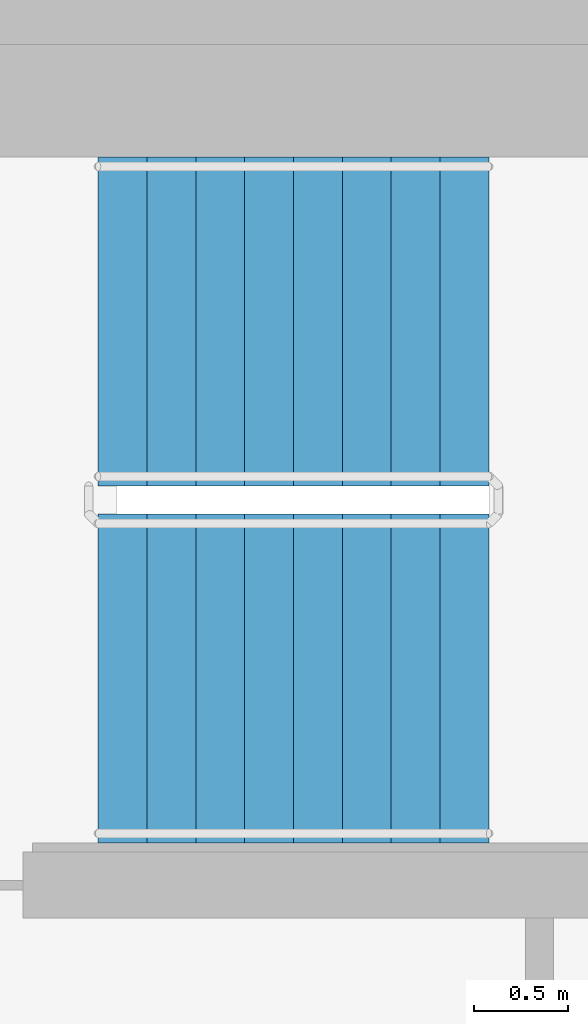
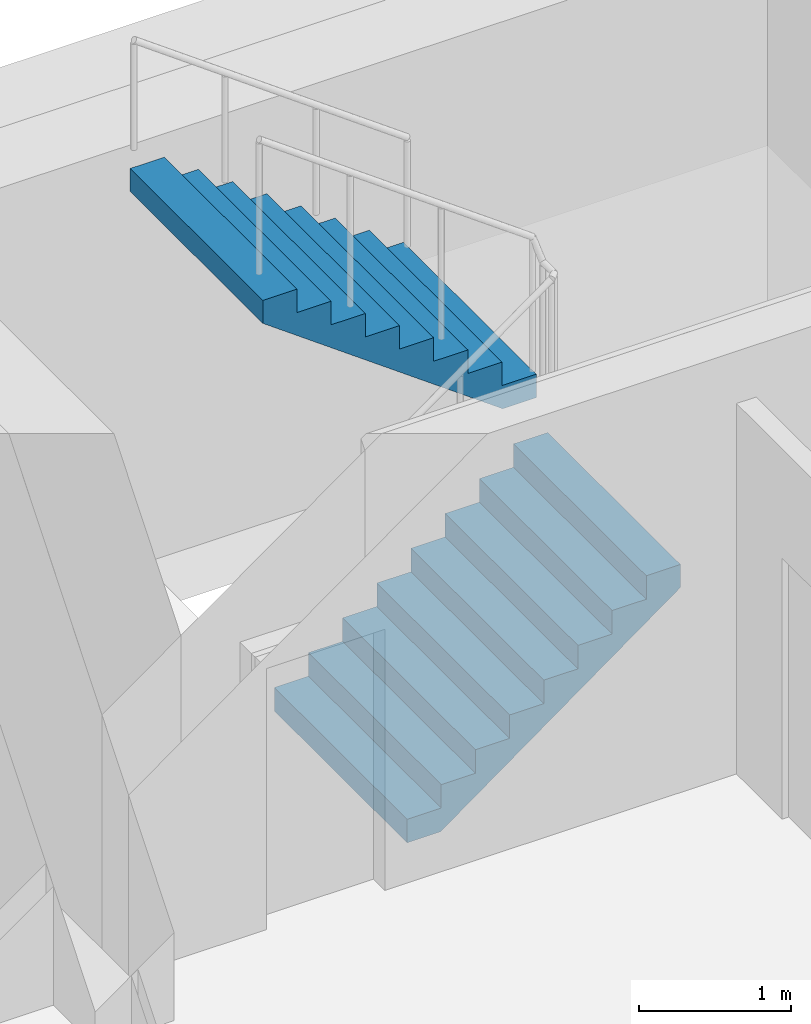
# One storey, part 13 of 18: 2 stair flights, 1 element without a shape of its own.
"""IFC4 building model written with IfcOpenShell, lengths in metres."""

from ifc_helpers import new_model, si_unit, direction, frame, origin, place, context, subcontext, project, spatial, faceted_brep, material, type_object, element, aggregate, save


model = new_model("IFC4")

# Units and contexts
model_context = context("Model", 3, precision=1e-05, world=origin(), true_north=direction((0.0, 1.0)))
body_context = subcontext(model_context, "Body", "Model", "MODEL_VIEW")
ifc_project = project(units=[si_unit("LENGTHUNIT", "METRE"), si_unit("AREAUNIT", "SQUARE_METRE"), si_unit("VOLUMEUNIT", "CUBIC_METRE"), si_unit("PLANEANGLEUNIT", "RADIAN"), si_unit("MASSUNIT", "GRAM", prefix="KILO")], contexts=[model_context])

# Site, building, storey
site_placement = place(None, origin())
site = spatial("IfcSite", under=ifc_project, at=site_placement, CompositionType="ELEMENT")
building_placement = place(site_placement, origin())
building = spatial("IfcBuilding", under=site, at=building_placement, Name="Ipe Terrace Towers", CompositionType="ELEMENT")
storey_placement = place(building_placement, frame((0.0, 0.0, 230.0)))
storey = spatial("IfcBuildingStorey", under=building, at=storey_placement, Name="L64", CompositionType="ELEMENT", Elevation=230.0)

# Stair, stair flights
ifc_material_1 = material(Name="Concrete C30/37", Category="concrete")
stair_type = type_object("IfcStairType", Name="Protected exit stair", PredefinedType="HALF_TURN_STAIR", material=ifc_material_1)
stair_placement = place(storey_placement, origin())
stair = element("IfcStair", 1, at=stair_placement, inside=storey, type_object=stair_type, Name="L64 Exit stair T1-C1", PredefinedType="HALF_TURN_STAIR")
ifc_material_2 = material(Name="Concrete C30/37", Category="concrete")
stair_flight_type = type_object("IfcStairFlightType", Name="Exit stair flight 1750", PredefinedType="STRAIGHT", material=ifc_material_2)
stair_flight_1_placement = place(storey_placement, frame((-26.300048828125, 2.77490234375, 0.0), z_axis=(0.0, 0.0, 1.0), x_axis=(1.0, 0.0, 0.0)))
stair_flight_1 = element("IfcStairFlight", 2, at=stair_flight_1_placement, type_object=stair_flight_type, Name="T1-ST1 flight 1", NumberOfRisers=9, NumberOfTreads=8, PredefinedType="STRAIGHT", RiserHeight=0.188888889, TreadLength=0.26, context=body_context, shape_type="Brep", body=[
    faceted_brep([(0.255126953125, -0.875, 0.0), (2.080078125, -0.875, 1.325927734375), (2.080078125, -0.875, 1.51123046875), (1.820068359375, -0.875, 1.51123046875), (1.820068359375, -0.875, 1.322265625), (1.56005859375, -0.875, 1.322265625), (1.56005859375, -0.875, 1.13330078125), (1.300048828125, -0.875, 1.13330078125), (1.300048828125, -0.875, 0.9443359375), (1.0400390625, -0.875, 0.9443359375), (1.0400390625, -0.875, 0.755615234375), (0.780029296875, -0.875, 0.755615234375), (0.780029296875, -0.875, 0.566650390625), (0.52001953125, -0.875, 0.566650390625), (0.52001953125, -0.875, 0.377685546875), (0.260009765625, -0.875, 0.377685546875), (0.260009765625, -0.875, 0.18896484375), (0.0, -0.875, 0.18896484375), (0.0, -0.875, 0.0), (0.0, 0.875, 0.0), (0.0, 0.875, 0.18896484375), (0.260009765625, 0.875, 0.18896484375), (0.260009765625, 0.875, 0.377685546875), (0.52001953125, 0.875, 0.377685546875), (0.52001953125, 0.875, 0.566650390625), (0.780029296875, 0.875, 0.566650390625), (0.780029296875, 0.875, 0.755615234375), (1.0400390625, 0.875, 0.755615234375), (1.0400390625, 0.875, 0.9443359375), (1.300048828125, 0.875, 0.9443359375), (1.300048828125, 0.875, 1.13330078125), (1.56005859375, 0.875, 1.13330078125), (1.56005859375, 0.875, 1.322265625), (1.820068359375, 0.875, 1.322265625), (1.820068359375, 0.875, 1.51123046875), (2.080078125, 0.875, 1.51123046875), (2.080078125, 0.875, 1.325927734375), (0.255126953125, 0.875, 0.0), (0.0, -0.300048828125, 0.18896484375), (0.0, -0.1201171875, 0.18896484375), (0.0, -0.06005859375, 0.18896484375), (0.0, -0.030029296875, 0.18896484375), (0.0, -0.010009765625, 0.18896484375), (0.0, 0.0, 0.18896484375), (0.0, 0.010009765625, 0.18896484375), (0.0, 0.030029296875, 0.18896484375), (0.0, 0.06005859375, 0.18896484375), (0.0, 0.1201171875, 0.18896484375), (0.0, 0.300048828125, 0.18896484375), (0.0, 0.300048828125, 0.0), (0.0, 0.1201171875, 0.0), (0.0, 0.06005859375, 0.0), (0.0, 0.030029296875, 0.0), (0.0, 0.010009765625, 0.0), (0.0, 0.0, 0.0), (0.0, -0.010009765625, 0.0), (0.0, -0.030029296875, 0.0), (0.0, -0.06005859375, 0.0), (0.0, -0.1201171875, 0.0), (0.0, -0.300048828125, 0.0), (0.260009765625, -0.300048828125, 0.18896484375), (0.260009765625, -0.1201171875, 0.18896484375), (0.260009765625, -0.06005859375, 0.18896484375), (0.260009765625, -0.030029296875, 0.18896484375), (0.260009765625, -0.010009765625, 0.18896484375), (0.260009765625, 0.0, 0.18896484375), (0.260009765625, 0.010009765625, 0.18896484375), (0.260009765625, 0.030029296875, 0.18896484375), (0.260009765625, 0.06005859375, 0.18896484375), (0.260009765625, 0.1201171875, 0.18896484375), (0.260009765625, 0.300048828125, 0.18896484375), (0.260009765625, -0.300048828125, 0.377685546875), (0.260009765625, -0.1201171875, 0.377685546875), (0.260009765625, -0.06005859375, 0.377685546875), (0.260009765625, -0.030029296875, 0.377685546875), (0.260009765625, -0.010009765625, 0.377685546875), (0.260009765625, 0.0, 0.377685546875), (0.260009765625, 0.010009765625, 0.377685546875), (0.260009765625, 0.030029296875, 0.377685546875), (0.260009765625, 0.06005859375, 0.377685546875), (0.260009765625, 0.1201171875, 0.377685546875), (0.260009765625, 0.300048828125, 0.377685546875), (0.52001953125, -0.300048828125, 0.377685546875), (0.52001953125, -0.1201171875, 0.377685546875), (0.52001953125, -0.06005859375, 0.377685546875), (0.52001953125, -0.030029296875, 0.377685546875), (0.52001953125, -0.010009765625, 0.377685546875), (0.52001953125, 0.0, 0.377685546875), (0.52001953125, 0.010009765625, 0.377685546875), (0.52001953125, 0.030029296875, 0.377685546875), (0.52001953125, 0.06005859375, 0.377685546875), (0.52001953125, 0.1201171875, 0.377685546875), (0.52001953125, 0.300048828125, 0.377685546875), (0.52001953125, -0.300048828125, 0.566650390625), (0.52001953125, -0.1201171875, 0.566650390625), (0.52001953125, -0.06005859375, 0.566650390625), (0.52001953125, -0.030029296875, 0.566650390625), (0.52001953125, -0.010009765625, 0.566650390625), (0.52001953125, 0.0, 0.566650390625), (0.52001953125, 0.010009765625, 0.566650390625), (0.52001953125, 0.030029296875, 0.566650390625), (0.52001953125, 0.06005859375, 0.566650390625), (0.52001953125, 0.1201171875, 0.566650390625), (0.52001953125, 0.300048828125, 0.566650390625), (0.780029296875, -0.300048828125, 0.566650390625), (0.780029296875, -0.1201171875, 0.566650390625), (0.780029296875, -0.06005859375, 0.566650390625), (0.780029296875, -0.030029296875, 0.566650390625), (0.780029296875, -0.010009765625, 0.566650390625), (0.780029296875, 0.0, 0.566650390625), (0.780029296875, 0.010009765625, 0.566650390625), (0.780029296875, 0.030029296875, 0.566650390625), (0.780029296875, 0.06005859375, 0.566650390625), (0.780029296875, 0.1201171875, 0.566650390625), (0.780029296875, 0.300048828125, 0.566650390625), (0.780029296875, -0.300048828125, 0.755615234375), (0.780029296875, -0.1201171875, 0.755615234375), (0.780029296875, -0.06005859375, 0.755615234375), (0.780029296875, -0.030029296875, 0.755615234375), (0.780029296875, -0.010009765625, 0.755615234375), (0.780029296875, 0.0, 0.755615234375), (0.780029296875, 0.010009765625, 0.755615234375), (0.780029296875, 0.030029296875, 0.755615234375), (0.780029296875, 0.06005859375, 0.755615234375), (0.780029296875, 0.1201171875, 0.755615234375), (0.780029296875, 0.300048828125, 0.755615234375), (1.0400390625, -0.300048828125, 0.755615234375), (1.0400390625, -0.1201171875, 0.755615234375), (1.0400390625, -0.06005859375, 0.755615234375), (1.0400390625, -0.030029296875, 0.755615234375), (1.0400390625, -0.010009765625, 0.755615234375), (1.0400390625, 0.0, 0.755615234375), (1.0400390625, 0.010009765625, 0.755615234375), (1.0400390625, 0.030029296875, 0.755615234375), (1.0400390625, 0.06005859375, 0.755615234375), (1.0400390625, 0.1201171875, 0.755615234375), (1.0400390625, 0.300048828125, 0.755615234375), (1.0400390625, -0.300048828125, 0.9443359375), (1.0400390625, -0.1201171875, 0.9443359375), (1.0400390625, -0.06005859375, 0.9443359375), (1.0400390625, -0.030029296875, 0.9443359375), (1.0400390625, -0.010009765625, 0.9443359375), (1.0400390625, 0.0, 0.9443359375), (1.0400390625, 0.010009765625, 0.9443359375), (1.0400390625, 0.030029296875, 0.9443359375), (1.0400390625, 0.06005859375, 0.9443359375), (1.0400390625, 0.1201171875, 0.9443359375), (1.0400390625, 0.300048828125, 0.9443359375), (1.300048828125, -0.300048828125, 0.9443359375), (1.300048828125, -0.1201171875, 0.9443359375), (1.300048828125, -0.06005859375, 0.9443359375), (1.300048828125, -0.030029296875, 0.9443359375), (1.300048828125, -0.010009765625, 0.9443359375), (1.300048828125, 0.0, 0.9443359375), (1.300048828125, 0.010009765625, 0.9443359375), (1.300048828125, 0.030029296875, 0.9443359375), (1.300048828125, 0.06005859375, 0.9443359375), (1.300048828125, 0.1201171875, 0.9443359375), (1.300048828125, 0.300048828125, 0.9443359375), (1.300048828125, -0.300048828125, 1.13330078125), (1.300048828125, -0.1201171875, 1.13330078125), (1.300048828125, -0.06005859375, 1.13330078125), (1.300048828125, -0.030029296875, 1.13330078125), (1.300048828125, -0.010009765625, 1.13330078125), (1.300048828125, 0.0, 1.13330078125), (1.300048828125, 0.010009765625, 1.13330078125), (1.300048828125, 0.030029296875, 1.13330078125), (1.300048828125, 0.06005859375, 1.13330078125), (1.300048828125, 0.1201171875, 1.13330078125), (1.300048828125, 0.300048828125, 1.13330078125), (1.56005859375, -0.300048828125, 1.13330078125), (1.56005859375, -0.1201171875, 1.13330078125), (1.56005859375, -0.06005859375, 1.13330078125), (1.56005859375, -0.030029296875, 1.13330078125), (1.56005859375, -0.010009765625, 1.13330078125), (1.56005859375, 0.0, 1.13330078125), (1.56005859375, 0.010009765625, 1.13330078125), (1.56005859375, 0.030029296875, 1.13330078125), (1.56005859375, 0.06005859375, 1.13330078125), (1.56005859375, 0.1201171875, 1.13330078125), (1.56005859375, 0.300048828125, 1.13330078125), (1.56005859375, -0.300048828125, 1.322265625), (1.56005859375, -0.1201171875, 1.322265625), (1.56005859375, -0.06005859375, 1.322265625), (1.56005859375, -0.030029296875, 1.322265625), (1.56005859375, -0.010009765625, 1.322265625), (1.56005859375, 0.0, 1.322265625), (1.56005859375, 0.010009765625, 1.322265625), (1.56005859375, 0.030029296875, 1.322265625), (1.56005859375, 0.06005859375, 1.322265625), (1.56005859375, 0.1201171875, 1.322265625), (1.56005859375, 0.300048828125, 1.322265625), (1.820068359375, -0.300048828125, 1.322265625), (1.820068359375, -0.1201171875, 1.322265625), (1.820068359375, -0.06005859375, 1.322265625), (1.820068359375, -0.030029296875, 1.322265625), (1.820068359375, -0.010009765625, 1.322265625), (1.820068359375, 0.0, 1.322265625), (1.820068359375, 0.010009765625, 1.322265625), (1.820068359375, 0.030029296875, 1.322265625), (1.820068359375, 0.06005859375, 1.322265625), (1.820068359375, 0.1201171875, 1.322265625), (1.820068359375, 0.300048828125, 1.322265625), (1.820068359375, -0.300048828125, 1.51123046875), (1.820068359375, -0.1201171875, 1.51123046875), (1.820068359375, -0.06005859375, 1.51123046875), (1.820068359375, -0.030029296875, 1.51123046875), (1.820068359375, -0.010009765625, 1.51123046875), (1.820068359375, 0.0, 1.51123046875), (1.820068359375, 0.010009765625, 1.51123046875), (1.820068359375, 0.030029296875, 1.51123046875), (1.820068359375, 0.06005859375, 1.51123046875), (1.820068359375, 0.1201171875, 1.51123046875), (1.820068359375, 0.300048828125, 1.51123046875), (2.080078125, -0.300048828125, 1.51123046875), (2.080078125, -0.1201171875, 1.51123046875), (2.080078125, -0.06005859375, 1.51123046875), (2.080078125, -0.030029296875, 1.51123046875), (2.080078125, -0.010009765625, 1.51123046875), (2.080078125, 0.0, 1.51123046875), (2.080078125, 0.010009765625, 1.51123046875), (2.080078125, 0.030029296875, 1.51123046875), (2.080078125, 0.06005859375, 1.51123046875), (2.080078125, 0.1201171875, 1.51123046875), (2.080078125, 0.300048828125, 1.51123046875), (2.080078125, -0.300048828125, 1.325927734375), (2.080078125, -0.1201171875, 1.325927734375), (2.080078125, -0.06005859375, 1.325927734375), (2.080078125, -0.030029296875, 1.325927734375), (2.080078125, -0.010009765625, 1.325927734375), (2.080078125, 0.0, 1.325927734375), (2.080078125, 0.010009765625, 1.325927734375), (2.080078125, 0.030029296875, 1.325927734375), (2.080078125, 0.06005859375, 1.325927734375), (2.080078125, 0.1201171875, 1.325927734375), (2.080078125, 0.300048828125, 1.325927734375), (0.255126953125, -0.300048828125, 0.0), (0.255126953125, -0.1201171875, 0.0), (0.255126953125, -0.06005859375, 0.0), (0.255126953125, -0.030029296875, 0.0), (0.255126953125, -0.010009765625, 0.0), (0.255126953125, 0.0, 0.0), (0.255126953125, 0.010009765625, 0.0), (0.255126953125, 0.030029296875, 0.0), (0.255126953125, 0.06005859375, 0.0), (0.255126953125, 0.1201171875, 0.0), (0.255126953125, 0.300048828125, 0.0)], [[[0, 1, 2, 3, 4, 5, 6, 7, 8, 9, 10, 11, 12, 13, 14, 15, 16, 17, 18]], [[19, 20, 21, 22, 23, 24, 25, 26, 27, 28, 29, 30, 31, 32, 33, 34, 35, 36, 37]], [[17, 38, 39, 40, 41, 42, 43, 44, 45, 46, 47, 48, 20, 19, 49, 50, 51, 52, 53, 54, 55, 56, 57, 58, 59, 18]], [[16, 60, 61, 62, 63, 64, 65, 66, 67, 68, 69, 70, 21, 20, 48, 47, 46, 45, 44, 43, 42, 41, 40, 39, 38, 17]], [[15, 71, 72, 73, 74, 75, 76, 77, 78, 79, 80, 81, 22, 21, 70, 69, 68, 67, 66, 65, 64, 63, 62, 61, 60, 16]], [[14, 82, 83, 84, 85, 86, 87, 88, 89, 90, 91, 92, 23, 22, 81, 80, 79, 78, 77, 76, 75, 74, 73, 72, 71, 15]], [[13, 93, 94, 95, 96, 97, 98, 99, 100, 101, 102, 103, 24, 23, 92, 91, 90, 89, 88, 87, 86, 85, 84, 83, 82, 14]], [[12, 104, 105, 106, 107, 108, 109, 110, 111, 112, 113, 114, 25, 24, 103, 102, 101, 100, 99, 98, 97, 96, 95, 94, 93, 13]], [[11, 115, 116, 117, 118, 119, 120, 121, 122, 123, 124, 125, 26, 25, 114, 113, 112, 111, 110, 109, 108, 107, 106, 105, 104, 12]], [[10, 126, 127, 128, 129, 130, 131, 132, 133, 134, 135, 136, 27, 26, 125, 124, 123, 122, 121, 120, 119, 118, 117, 116, 115, 11]], [[9, 137, 138, 139, 140, 141, 142, 143, 144, 145, 146, 147, 28, 27, 136, 135, 134, 133, 132, 131, 130, 129, 128, 127, 126, 10]], [[8, 148, 149, 150, 151, 152, 153, 154, 155, 156, 157, 158, 29, 28, 147, 146, 145, 144, 143, 142, 141, 140, 139, 138, 137, 9]], [[7, 159, 160, 161, 162, 163, 164, 165, 166, 167, 168, 169, 30, 29, 158, 157, 156, 155, 154, 153, 152, 151, 150, 149, 148, 8]], [[6, 170, 171, 172, 173, 174, 175, 176, 177, 178, 179, 180, 31, 30, 169, 168, 167, 166, 165, 164, 163, 162, 161, 160, 159, 7]], [[5, 181, 182, 183, 184, 185, 186, 187, 188, 189, 190, 191, 32, 31, 180, 179, 178, 177, 176, 175, 174, 173, 172, 171, 170, 6]], [[4, 192, 193, 194, 195, 196, 197, 198, 199, 200, 201, 202, 33, 32, 191, 190, 189, 188, 187, 186, 185, 184, 183, 182, 181, 5]], [[3, 203, 204, 205, 206, 207, 208, 209, 210, 211, 212, 213, 34, 33, 202, 201, 200, 199, 198, 197, 196, 195, 194, 193, 192, 4]], [[2, 214, 215, 216, 217, 218, 219, 220, 221, 222, 223, 224, 35, 34, 213, 212, 211, 210, 209, 208, 207, 206, 205, 204, 203, 3]], [[1, 225, 226, 227, 228, 229, 230, 231, 232, 233, 234, 235, 36, 35, 224, 223, 222, 221, 220, 219, 218, 217, 216, 215, 214, 2]], [[0, 236, 237, 238, 239, 240, 241, 242, 243, 244, 245, 246, 37, 36, 235, 234, 233, 232, 231, 230, 229, 228, 227, 226, 225, 1]], [[18, 59, 58, 57, 56, 55, 54, 53, 52, 51, 50, 49, 19, 37, 246, 245, 244, 243, 242, 241, 240, 239, 238, 237, 236, 0]]]),
])
stair_flight_2_placement = place(storey_placement, frame((-24.219970703125, 4.675048828125, 1.699951171875), z_axis=(0.0, 0.0, 1.0), x_axis=(-1.0, 0.0, 0.0)))
stair_flight_2 = element("IfcStairFlight", 3, at=stair_flight_2_placement, type_object=stair_flight_type, Name="T1-ST1 flight 2", NumberOfRisers=9, NumberOfTreads=8, PredefinedType="STRAIGHT", RiserHeight=0.188888889, TreadLength=0.26, context=body_context, shape_type="Brep", body=[
    faceted_brep([(0.255126953125, -0.875, 0.0), (2.080078125, -0.875, 1.325927734375), (2.080078125, -0.875, 1.51123046875), (1.820068359375, -0.875, 1.51123046875), (1.820068359375, -0.875, 1.322265625), (1.56005859375, -0.875, 1.322265625), (1.56005859375, -0.875, 1.13330078125), (1.300048828125, -0.875, 1.13330078125), (1.300048828125, -0.875, 0.9443359375), (1.0400390625, -0.875, 0.9443359375), (1.0400390625, -0.875, 0.755615234375), (0.780029296875, -0.875, 0.755615234375), (0.780029296875, -0.875, 0.566650390625), (0.52001953125, -0.875, 0.566650390625), (0.52001953125, -0.875, 0.377685546875), (0.260009765625, -0.875, 0.377685546875), (0.260009765625, -0.875, 0.18896484375), (0.0, -0.875, 0.18896484375), (0.0, -0.875, 0.0), (0.0, 0.875, 0.0), (0.0, 0.875, 0.18896484375), (0.260009765625, 0.875, 0.18896484375), (0.260009765625, 0.875, 0.377685546875), (0.52001953125, 0.875, 0.377685546875), (0.52001953125, 0.875, 0.566650390625), (0.780029296875, 0.875, 0.566650390625), (0.780029296875, 0.875, 0.755615234375), (1.0400390625, 0.875, 0.755615234375), (1.0400390625, 0.875, 0.9443359375), (1.300048828125, 0.875, 0.9443359375), (1.300048828125, 0.875, 1.13330078125), (1.56005859375, 0.875, 1.13330078125), (1.56005859375, 0.875, 1.322265625), (1.820068359375, 0.875, 1.322265625), (1.820068359375, 0.875, 1.51123046875), (2.080078125, 0.875, 1.51123046875), (2.080078125, 0.875, 1.325927734375), (0.255126953125, 0.875, 0.0), (0.0, -0.300048828125, 0.18896484375), (0.0, -0.1201171875, 0.18896484375), (0.0, -0.06005859375, 0.18896484375), (0.0, -0.030029296875, 0.18896484375), (0.0, -0.010009765625, 0.18896484375), (0.0, 0.0, 0.18896484375), (0.0, 0.010009765625, 0.18896484375), (0.0, 0.030029296875, 0.18896484375), (0.0, 0.06005859375, 0.18896484375), (0.0, 0.1201171875, 0.18896484375), (0.0, 0.300048828125, 0.18896484375), (0.0, 0.300048828125, 0.0), (0.0, 0.1201171875, 0.0), (0.0, 0.06005859375, 0.0), (0.0, 0.030029296875, 0.0), (0.0, 0.010009765625, 0.0), (0.0, 0.0, 0.0), (0.0, -0.010009765625, 0.0), (0.0, -0.030029296875, 0.0), (0.0, -0.06005859375, 0.0), (0.0, -0.1201171875, 0.0), (0.0, -0.300048828125, 0.0), (0.260009765625, -0.300048828125, 0.18896484375), (0.260009765625, -0.1201171875, 0.18896484375), (0.260009765625, -0.06005859375, 0.18896484375), (0.260009765625, -0.030029296875, 0.18896484375), (0.260009765625, -0.010009765625, 0.18896484375), (0.260009765625, 0.0, 0.18896484375), (0.260009765625, 0.010009765625, 0.18896484375), (0.260009765625, 0.030029296875, 0.18896484375), (0.260009765625, 0.06005859375, 0.18896484375), (0.260009765625, 0.1201171875, 0.18896484375), (0.260009765625, 0.300048828125, 0.18896484375), (0.260009765625, -0.300048828125, 0.377685546875), (0.260009765625, -0.1201171875, 0.377685546875), (0.260009765625, -0.06005859375, 0.377685546875), (0.260009765625, -0.030029296875, 0.377685546875), (0.260009765625, -0.010009765625, 0.377685546875), (0.260009765625, 0.0, 0.377685546875), (0.260009765625, 0.010009765625, 0.377685546875), (0.260009765625, 0.030029296875, 0.377685546875), (0.260009765625, 0.06005859375, 0.377685546875), (0.260009765625, 0.1201171875, 0.377685546875), (0.260009765625, 0.300048828125, 0.377685546875), (0.52001953125, -0.300048828125, 0.377685546875), (0.52001953125, -0.1201171875, 0.377685546875), (0.52001953125, -0.06005859375, 0.377685546875), (0.52001953125, -0.030029296875, 0.377685546875), (0.52001953125, -0.010009765625, 0.377685546875), (0.52001953125, 0.0, 0.377685546875), (0.52001953125, 0.010009765625, 0.377685546875), (0.52001953125, 0.030029296875, 0.377685546875), (0.52001953125, 0.06005859375, 0.377685546875), (0.52001953125, 0.1201171875, 0.377685546875), (0.52001953125, 0.300048828125, 0.377685546875), (0.52001953125, -0.300048828125, 0.566650390625), (0.52001953125, -0.1201171875, 0.566650390625), (0.52001953125, -0.06005859375, 0.566650390625), (0.52001953125, -0.030029296875, 0.566650390625), (0.52001953125, -0.010009765625, 0.566650390625), (0.52001953125, 0.0, 0.566650390625), (0.52001953125, 0.010009765625, 0.566650390625), (0.52001953125, 0.030029296875, 0.566650390625), (0.52001953125, 0.06005859375, 0.566650390625), (0.52001953125, 0.1201171875, 0.566650390625), (0.52001953125, 0.300048828125, 0.566650390625), (0.780029296875, -0.300048828125, 0.566650390625), (0.780029296875, -0.1201171875, 0.566650390625), (0.780029296875, -0.06005859375, 0.566650390625), (0.780029296875, -0.030029296875, 0.566650390625), (0.780029296875, -0.010009765625, 0.566650390625), (0.780029296875, 0.0, 0.566650390625), (0.780029296875, 0.010009765625, 0.566650390625), (0.780029296875, 0.030029296875, 0.566650390625), (0.780029296875, 0.06005859375, 0.566650390625), (0.780029296875, 0.1201171875, 0.566650390625), (0.780029296875, 0.300048828125, 0.566650390625), (0.780029296875, -0.300048828125, 0.755615234375), (0.780029296875, -0.1201171875, 0.755615234375), (0.780029296875, -0.06005859375, 0.755615234375), (0.780029296875, -0.030029296875, 0.755615234375), (0.780029296875, -0.010009765625, 0.755615234375), (0.780029296875, 0.0, 0.755615234375), (0.780029296875, 0.010009765625, 0.755615234375), (0.780029296875, 0.030029296875, 0.755615234375), (0.780029296875, 0.06005859375, 0.755615234375), (0.780029296875, 0.1201171875, 0.755615234375), (0.780029296875, 0.300048828125, 0.755615234375), (1.0400390625, -0.300048828125, 0.755615234375), (1.0400390625, -0.1201171875, 0.755615234375), (1.0400390625, -0.06005859375, 0.755615234375), (1.0400390625, -0.030029296875, 0.755615234375), (1.0400390625, -0.010009765625, 0.755615234375), (1.0400390625, 0.0, 0.755615234375), (1.0400390625, 0.010009765625, 0.755615234375), (1.0400390625, 0.030029296875, 0.755615234375), (1.0400390625, 0.06005859375, 0.755615234375), (1.0400390625, 0.1201171875, 0.755615234375), (1.0400390625, 0.300048828125, 0.755615234375), (1.0400390625, -0.300048828125, 0.9443359375), (1.0400390625, -0.1201171875, 0.9443359375), (1.0400390625, -0.06005859375, 0.9443359375), (1.0400390625, -0.030029296875, 0.9443359375), (1.0400390625, -0.010009765625, 0.9443359375), (1.0400390625, 0.0, 0.9443359375), (1.0400390625, 0.010009765625, 0.9443359375), (1.0400390625, 0.030029296875, 0.9443359375), (1.0400390625, 0.06005859375, 0.9443359375), (1.0400390625, 0.1201171875, 0.9443359375), (1.0400390625, 0.300048828125, 0.9443359375), (1.300048828125, -0.300048828125, 0.9443359375), (1.300048828125, -0.1201171875, 0.9443359375), (1.300048828125, -0.06005859375, 0.9443359375), (1.300048828125, -0.030029296875, 0.9443359375), (1.300048828125, -0.010009765625, 0.9443359375), (1.300048828125, 0.0, 0.9443359375), (1.300048828125, 0.010009765625, 0.9443359375), (1.300048828125, 0.030029296875, 0.9443359375), (1.300048828125, 0.06005859375, 0.9443359375), (1.300048828125, 0.1201171875, 0.9443359375), (1.300048828125, 0.300048828125, 0.9443359375), (1.300048828125, -0.300048828125, 1.13330078125), (1.300048828125, -0.1201171875, 1.13330078125), (1.300048828125, -0.06005859375, 1.13330078125), (1.300048828125, -0.030029296875, 1.13330078125), (1.300048828125, -0.010009765625, 1.13330078125), (1.300048828125, 0.0, 1.13330078125), (1.300048828125, 0.010009765625, 1.13330078125), (1.300048828125, 0.030029296875, 1.13330078125), (1.300048828125, 0.06005859375, 1.13330078125), (1.300048828125, 0.1201171875, 1.13330078125), (1.300048828125, 0.300048828125, 1.13330078125), (1.56005859375, -0.300048828125, 1.13330078125), (1.56005859375, -0.1201171875, 1.13330078125), (1.56005859375, -0.06005859375, 1.13330078125), (1.56005859375, -0.030029296875, 1.13330078125), (1.56005859375, -0.010009765625, 1.13330078125), (1.56005859375, 0.0, 1.13330078125), (1.56005859375, 0.010009765625, 1.13330078125), (1.56005859375, 0.030029296875, 1.13330078125), (1.56005859375, 0.06005859375, 1.13330078125), (1.56005859375, 0.1201171875, 1.13330078125), (1.56005859375, 0.300048828125, 1.13330078125), (1.56005859375, -0.300048828125, 1.322265625), (1.56005859375, -0.1201171875, 1.322265625), (1.56005859375, -0.06005859375, 1.322265625), (1.56005859375, -0.030029296875, 1.322265625), (1.56005859375, -0.010009765625, 1.322265625), (1.56005859375, 0.0, 1.322265625), (1.56005859375, 0.010009765625, 1.322265625), (1.56005859375, 0.030029296875, 1.322265625), (1.56005859375, 0.06005859375, 1.322265625), (1.56005859375, 0.1201171875, 1.322265625), (1.56005859375, 0.300048828125, 1.322265625), (1.820068359375, -0.300048828125, 1.322265625), (1.820068359375, -0.1201171875, 1.322265625), (1.820068359375, -0.06005859375, 1.322265625), (1.820068359375, -0.030029296875, 1.322265625), (1.820068359375, -0.010009765625, 1.322265625), (1.820068359375, 0.0, 1.322265625), (1.820068359375, 0.010009765625, 1.322265625), (1.820068359375, 0.030029296875, 1.322265625), (1.820068359375, 0.06005859375, 1.322265625), (1.820068359375, 0.1201171875, 1.322265625), (1.820068359375, 0.300048828125, 1.322265625), (1.820068359375, -0.300048828125, 1.51123046875), (1.820068359375, -0.1201171875, 1.51123046875), (1.820068359375, -0.06005859375, 1.51123046875), (1.820068359375, -0.030029296875, 1.51123046875), (1.820068359375, -0.010009765625, 1.51123046875), (1.820068359375, 0.0, 1.51123046875), (1.820068359375, 0.010009765625, 1.51123046875), (1.820068359375, 0.030029296875, 1.51123046875), (1.820068359375, 0.06005859375, 1.51123046875), (1.820068359375, 0.1201171875, 1.51123046875), (1.820068359375, 0.300048828125, 1.51123046875), (2.080078125, -0.300048828125, 1.51123046875), (2.080078125, -0.1201171875, 1.51123046875), (2.080078125, -0.06005859375, 1.51123046875), (2.080078125, -0.030029296875, 1.51123046875), (2.080078125, -0.010009765625, 1.51123046875), (2.080078125, 0.0, 1.51123046875), (2.080078125, 0.010009765625, 1.51123046875), (2.080078125, 0.030029296875, 1.51123046875), (2.080078125, 0.06005859375, 1.51123046875), (2.080078125, 0.1201171875, 1.51123046875), (2.080078125, 0.300048828125, 1.51123046875), (2.080078125, -0.300048828125, 1.325927734375), (2.080078125, -0.1201171875, 1.325927734375), (2.080078125, -0.06005859375, 1.325927734375), (2.080078125, -0.030029296875, 1.325927734375), (2.080078125, -0.010009765625, 1.325927734375), (2.080078125, 0.0, 1.325927734375), (2.080078125, 0.010009765625, 1.325927734375), (2.080078125, 0.030029296875, 1.325927734375), (2.080078125, 0.06005859375, 1.325927734375), (2.080078125, 0.1201171875, 1.325927734375), (2.080078125, 0.300048828125, 1.325927734375), (0.255126953125, -0.300048828125, 0.0), (0.255126953125, -0.1201171875, 0.0), (0.255126953125, -0.06005859375, 0.0), (0.255126953125, -0.030029296875, 0.0), (0.255126953125, -0.010009765625, 0.0), (0.255126953125, 0.0, 0.0), (0.255126953125, 0.010009765625, 0.0), (0.255126953125, 0.030029296875, 0.0), (0.255126953125, 0.06005859375, 0.0), (0.255126953125, 0.1201171875, 0.0), (0.255126953125, 0.300048828125, 0.0)], [[[0, 1, 2, 3, 4, 5, 6, 7, 8, 9, 10, 11, 12, 13, 14, 15, 16, 17, 18]], [[19, 20, 21, 22, 23, 24, 25, 26, 27, 28, 29, 30, 31, 32, 33, 34, 35, 36, 37]], [[17, 38, 39, 40, 41, 42, 43, 44, 45, 46, 47, 48, 20, 19, 49, 50, 51, 52, 53, 54, 55, 56, 57, 58, 59, 18]], [[16, 60, 61, 62, 63, 64, 65, 66, 67, 68, 69, 70, 21, 20, 48, 47, 46, 45, 44, 43, 42, 41, 40, 39, 38, 17]], [[15, 71, 72, 73, 74, 75, 76, 77, 78, 79, 80, 81, 22, 21, 70, 69, 68, 67, 66, 65, 64, 63, 62, 61, 60, 16]], [[14, 82, 83, 84, 85, 86, 87, 88, 89, 90, 91, 92, 23, 22, 81, 80, 79, 78, 77, 76, 75, 74, 73, 72, 71, 15]], [[13, 93, 94, 95, 96, 97, 98, 99, 100, 101, 102, 103, 24, 23, 92, 91, 90, 89, 88, 87, 86, 85, 84, 83, 82, 14]], [[12, 104, 105, 106, 107, 108, 109, 110, 111, 112, 113, 114, 25, 24, 103, 102, 101, 100, 99, 98, 97, 96, 95, 94, 93, 13]], [[11, 115, 116, 117, 118, 119, 120, 121, 122, 123, 124, 125, 26, 25, 114, 113, 112, 111, 110, 109, 108, 107, 106, 105, 104, 12]], [[10, 126, 127, 128, 129, 130, 131, 132, 133, 134, 135, 136, 27, 26, 125, 124, 123, 122, 121, 120, 119, 118, 117, 116, 115, 11]], [[9, 137, 138, 139, 140, 141, 142, 143, 144, 145, 146, 147, 28, 27, 136, 135, 134, 133, 132, 131, 130, 129, 128, 127, 126, 10]], [[8, 148, 149, 150, 151, 152, 153, 154, 155, 156, 157, 158, 29, 28, 147, 146, 145, 144, 143, 142, 141, 140, 139, 138, 137, 9]], [[7, 159, 160, 161, 162, 163, 164, 165, 166, 167, 168, 169, 30, 29, 158, 157, 156, 155, 154, 153, 152, 151, 150, 149, 148, 8]], [[6, 170, 171, 172, 173, 174, 175, 176, 177, 178, 179, 180, 31, 30, 169, 168, 167, 166, 165, 164, 163, 162, 161, 160, 159, 7]], [[5, 181, 182, 183, 184, 185, 186, 187, 188, 189, 190, 191, 32, 31, 180, 179, 178, 177, 176, 175, 174, 173, 172, 171, 170, 6]], [[4, 192, 193, 194, 195, 196, 197, 198, 199, 200, 201, 202, 33, 32, 191, 190, 189, 188, 187, 186, 185, 184, 183, 182, 181, 5]], [[3, 203, 204, 205, 206, 207, 208, 209, 210, 211, 212, 213, 34, 33, 202, 201, 200, 199, 198, 197, 196, 195, 194, 193, 192, 4]], [[2, 214, 215, 216, 217, 218, 219, 220, 221, 222, 223, 224, 35, 34, 213, 212, 211, 210, 209, 208, 207, 206, 205, 204, 203, 3]], [[1, 225, 226, 227, 228, 229, 230, 231, 232, 233, 234, 235, 36, 35, 224, 223, 222, 221, 220, 219, 218, 217, 216, 215, 214, 2]], [[0, 236, 237, 238, 239, 240, 241, 242, 243, 244, 245, 246, 37, 36, 235, 234, 233, 232, 231, 230, 229, 228, 227, 226, 225, 1]], [[18, 59, 58, 57, 56, 55, 54, 53, 52, 51, 50, 49, 19, 37, 246, 245, 244, 243, 242, 241, 240, 239, 238, 237, 236, 0]]]),
])
aggregate(stair, [stair_flight_1, stair_flight_2])

save(model, "model.ifc")
